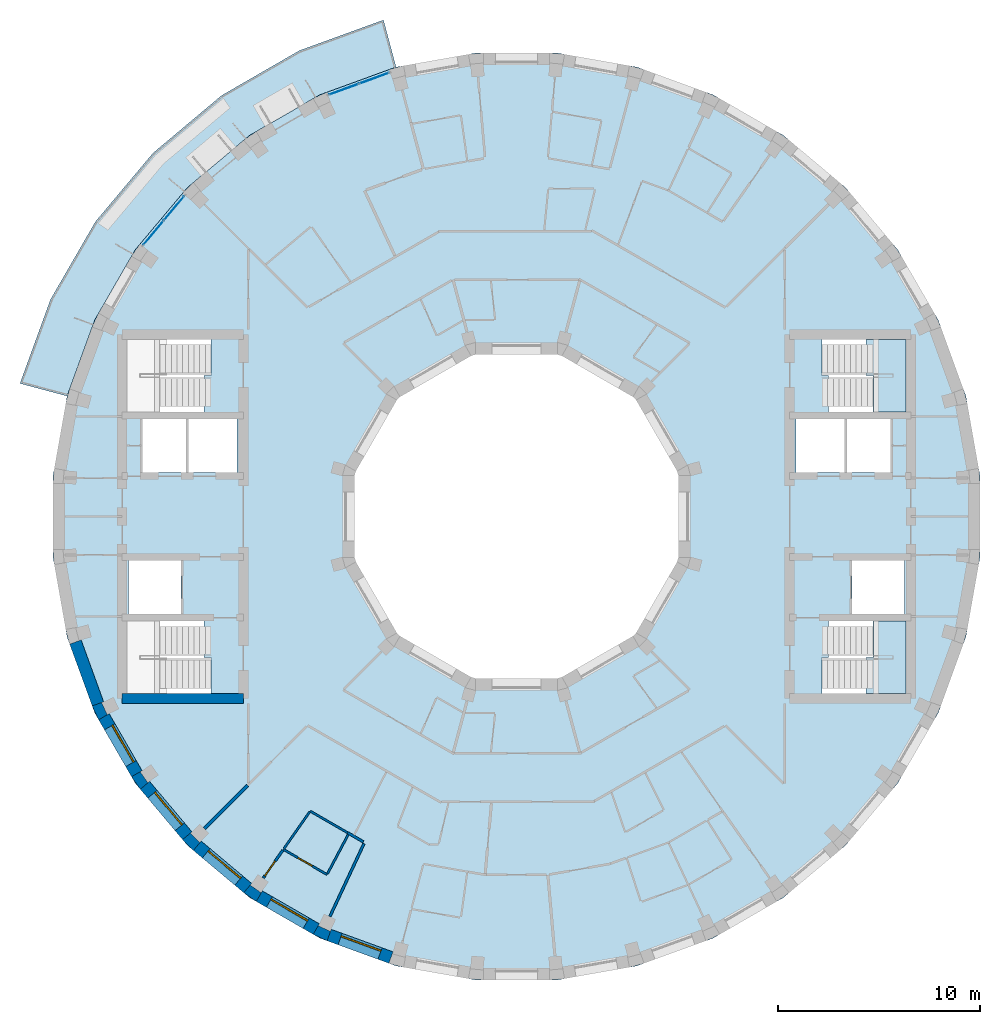
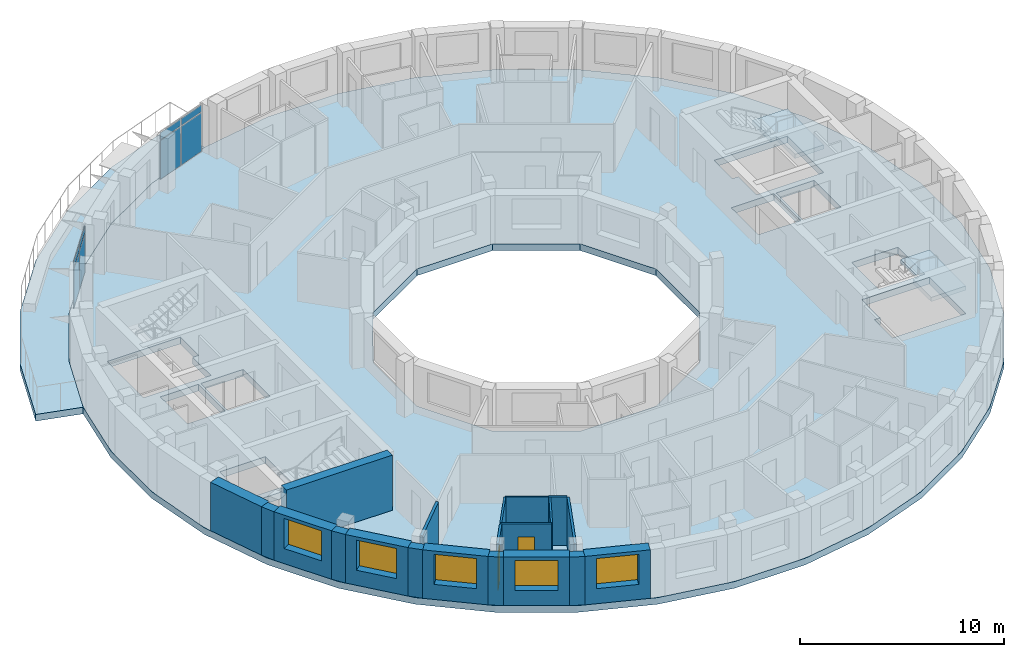
# One storey, part 3 of 12: 20 walls, 8 plates, 5 windows, 4 slabs, 2 doors, 7 openings, 4 elements without a shape of their own.
"""IFC4 building model written with IfcOpenShell, lengths in metres."""

import ifcopenshell
import ifcopenshell.guid

model = None  # the IFC model being written
_history = None  # IfcOwnerHistory: only IFC2X3 demands one
_inside = {}  # id of a spatial element -> (the spatial element, [elements in it])
_under = {}  # id of a project, library or spatial element -> (it, [spatial elements below it])
_declared = {}  # id of a project -> (the project, [libraries it declares])
_typed = {}  # id of a type object -> (the type object, [elements of that type])
_made_of = {}  # id of a material, layer set ... -> (it, [elements and type objects made of it])


def new_model(schema):
    """Start an empty IFC model of exactly this schema.

    Asked for "IFC4X3", IfcOpenShell would pick the latest addendum, in which some entities
    have other attributes; the version numbers below select the first issue.
    IFC2X3 requires an IfcOwnerHistory on every rooted entity: one is made here for all.
    """
    global model, _history
    if schema == "IFC4X3":
        model = ifcopenshell.file(schema_version=(4, 3, 0, 0))
    else:
        model = ifcopenshell.file(schema=schema)
    _inside.clear()
    _under.clear()
    _declared.clear()
    _typed.clear()
    _made_of.clear()
    _history = None
    if model.schema == "IFC2X3":
        org = make("IfcOrganization", Name="unknown")
        user = make(
            "IfcPersonAndOrganization",
            ThePerson=make("IfcPerson", FamilyName="unknown"),
            TheOrganization=org,
        )
        app = make(
            "IfcApplication",
            ApplicationDeveloper=org,
            Version="unknown",
            ApplicationFullName="unknown",
            ApplicationIdentifier="unknown",
        )
        _history = make(
            "IfcOwnerHistory",
            OwningUser=user,
            OwningApplication=app,
            ChangeAction="ADDED",
            CreationDate=0,
        )
    return model


def make(cls, **values):
    """One entity of the class cls with the attributes given. An attribute that is None is left unset."""
    return model.create_entity(
        cls, **{name: value for name, value in values.items() if value is not None}
    )


def rooted(cls, **values):
    """An entity with a GlobalId (a new one), such as an element, a storey or a relation."""
    return make(cls, GlobalId=ifcopenshell.guid.new(), OwnerHistory=_history, **values)


def si_unit(unit_type, name, prefix=None):
    """IfcSIUnit, for example si_unit("LENGTHUNIT", "METRE", prefix="MILLI")."""
    return make("IfcSIUnit", UnitType=unit_type, Prefix=prefix, Name=name)


def assignment(units):
    """IfcUnitAssignment: the units of a project."""
    return None if units is None else make("IfcUnitAssignment", Units=units)


def point(xyz):
    """IfcCartesianPoint."""
    return None if xyz is None else make("IfcCartesianPoint", Coordinates=xyz)


def direction(xyz):
    """IfcDirection."""
    return None if xyz is None else make("IfcDirection", DirectionRatios=xyz)


def frame(location, z_axis=None, x_axis=None):
    """IfcAxis2Placement3D, a coordinate frame: its origin and axes. An axis left out is left unset."""
    return make(
        "IfcAxis2Placement3D",
        Location=point(location),
        Axis=direction(z_axis),
        RefDirection=direction(x_axis),
    )


def frame_2d(location, x_axis=None):
    """IfcAxis2Placement2D, a coordinate frame in the plane: its origin and x axis."""
    return make(
        "IfcAxis2Placement2D", Location=point(location), RefDirection=direction(x_axis)
    )


def origin():
    """The frame at (0, 0, 0) with its axes left unset."""
    return frame((0.0, 0.0, 0.0))


def origin_2d():
    """The frame at (0, 0) in the plane with its x axis left unset."""
    return frame_2d((0.0, 0.0))


def place(relative_to, where):
    """IfcLocalPlacement: puts the frame where relative to a parent placement (None: the world)."""
    return make(
        "IfcLocalPlacement", PlacementRelTo=relative_to, RelativePlacement=where
    )


def context(
    kind, dimensions, precision=None, world=None, true_north=None, identifier=None
):
    """IfcGeometricRepresentationContext, for example the 3D "Model" context."""
    return make(
        "IfcGeometricRepresentationContext",
        ContextIdentifier=identifier,
        ContextType=kind,
        CoordinateSpaceDimension=dimensions,
        Precision=precision,
        WorldCoordinateSystem=world,
        TrueNorth=true_north,
    )


def subcontext(parent, identifier, kind, view, scale=None):
    """IfcGeometricRepresentationSubContext, for example "Body" below "Model"."""
    return make(
        "IfcGeometricRepresentationSubContext",
        ContextIdentifier=identifier,
        ContextType=kind,
        ParentContext=parent,
        TargetScale=scale,
        TargetView=view,
    )


def project(units=None, contexts=None):
    """IfcProject with its units and contexts."""
    return rooted(
        "IfcProject",
        Name="project",
        RepresentationContexts=contexts,
        UnitsInContext=assignment(units),
    )


def spatial(cls, under=None, at=None, **own):
    """A site, building, storey or space (cls), placed at a placement, below another one or the project."""
    s = rooted(cls, ObjectPlacement=at, **own)
    if under is not None:
        _under.setdefault(under.id(), (under, []))[1].append(s)
    return s


def polyline(points):
    """IfcPolyline through the points."""
    return make("IfcPolyline", Points=[point(p) for p in points])


def profile(cls, at=None, kind="AREA", **sizes):
    """A parametric profile (cls). Its sizes go by their IFC names, for example OverallWidth=200.0."""
    return make(cls, ProfileType=kind, Position=at, **sizes)


def rectangle(**sizes):
    """IfcRectangleProfileDef."""
    return profile("IfcRectangleProfileDef", **sizes)


def outline(outer, holes=None, kind="AREA"):
    """IfcArbitraryClosedProfileDef: a profile drawn as a closed curve; with holes, ...WithVoids."""
    if holes is None:
        return make("IfcArbitraryClosedProfileDef", ProfileType=kind, OuterCurve=outer)
    return make(
        "IfcArbitraryProfileDefWithVoids",
        ProfileType=kind,
        OuterCurve=outer,
        InnerCurves=holes,
    )


def extrude(swept, where, along, depth):
    """IfcExtrudedAreaSolid: the profile swept, set in the frame where, extruded along a direction by depth."""
    return make(
        "IfcExtrudedAreaSolid",
        SweptArea=swept,
        Position=where,
        ExtrudedDirection=direction(along),
        Depth=depth,
    )


def shape(context_of_items, identifier, shape_type, items):
    """IfcShapeRepresentation: the items that make up one representation, for example the "Body"."""
    return make(
        "IfcShapeRepresentation",
        ContextOfItems=context_of_items,
        RepresentationIdentifier=identifier,
        RepresentationType=shape_type,
        Items=items,
    )


def material(Name=None, Category=None):
    """IfcMaterial."""
    return make("IfcMaterial", Name=Name, Category=Category)


def layer(
    of_material, thickness, ventilated=None, Name=None, Category=None, Priority=None
):
    """IfcMaterialLayer: one layer of a wall or slab, of a material (None: an air gap)."""
    return make(
        "IfcMaterialLayer",
        Material=of_material,
        LayerThickness=thickness,
        IsVentilated=ventilated,
        Name=Name,
        Category=Category,
        Priority=Priority,
    )


def layer_set(layers, Name=None):
    """IfcMaterialLayerSet."""
    return make("IfcMaterialLayerSet", MaterialLayers=layers, LayerSetName=Name)


def made_of(thing, what):
    """Note that an element or type object is made of a material, layer set ...; save() writes the relation."""
    if what is not None:
        _made_of.setdefault(what.id(), (what, []))[1].append(thing)
    return thing


def type_object(cls, material=None, **own):
    """A type object (cls), such as IfcWallType, which elements share."""
    return made_of(rooted(cls, **own), material)


def element(
    cls,
    number,
    at=None,
    inside=None,
    cuts=None,
    type_object=None,
    material=None,
    context=None,
    identifier="Body",
    shape_type=None,
    held_by="IfcProductDefinitionShape",
    body=None,
    shapes=None,
    **own,
):
    """One element of the class cls, such as IfcWall. Its Tag is "e" and its number.

    at: its placement. inside: the storey or other place that contains it. cuts: it is an
    opening in that element (IfcRelVoidsElement). A single representation is given by context,
    identifier, shape_type and body (its items); several are given by shapes. held_by: the class
    of the entity that holds the representations. save() writes the other relations.
    """
    e = rooted(cls, Tag="e%d" % number, ObjectPlacement=at, **own)
    if body is not None:
        shapes = [shape(context, identifier, shape_type, body)]
    if shapes is not None:
        e.Representation = make(held_by, Representations=shapes)
    if inside is not None:
        _inside.setdefault(inside.id(), (inside, []))[1].append(e)
    if cuts is not None:
        rooted(
            "IfcRelVoidsElement", RelatingBuildingElement=cuts, RelatedOpeningElement=e
        )
    if type_object is not None:
        _typed.setdefault(type_object.id(), (type_object, []))[1].append(e)
    return made_of(e, material)


def fill(opening, filler):
    """IfcRelFillsElement: the door or window that sits in an opening."""
    return rooted(
        "IfcRelFillsElement",
        RelatingOpeningElement=opening,
        RelatedBuildingElement=filler,
    )


def aggregate(whole, parts):
    """IfcRelAggregates: a whole, such as a stair, and the parts it consists of."""
    return rooted("IfcRelAggregates", RelatingObject=whole, RelatedObjects=parts)


def save(model, path):
    """Write the relations noted so far, then the file.

    IfcRelAggregates (storeys below a building ...), IfcRelContainedInSpatialStructure (elements
    in a storey), IfcRelDefinesByType, IfcRelAssociatesMaterial and IfcRelDeclares: one each for
    every whole, place, type object, material and project.
    """
    for whole, parts in _under.values():
        aggregate(whole, parts)
    for where, things in _inside.values():
        rooted(
            "IfcRelContainedInSpatialStructure",
            RelatedElements=things,
            RelatingStructure=where,
        )
    for kind, things in _typed.values():
        rooted("IfcRelDefinesByType", RelatedObjects=things, RelatingType=kind)
    for what, things in _made_of.values():
        rooted("IfcRelAssociatesMaterial", RelatedObjects=things, RelatingMaterial=what)
    for by, libraries in _declared.values():
        rooted("IfcRelDeclares", RelatingContext=by, RelatedDefinitions=libraries)
    model.write(path)


model = new_model("IFC4")

# Units and contexts
model_context = context("Model", 3, precision=1e-05, world=origin(), true_north=direction((0.0, 1.0)))
body_context = subcontext(model_context, "Body", "Model", "MODEL_VIEW")
ifc_project = project(units=[si_unit("LENGTHUNIT", "METRE"), si_unit("AREAUNIT", "SQUARE_METRE"), si_unit("VOLUMEUNIT", "CUBIC_METRE"), si_unit("PLANEANGLEUNIT", "RADIAN"), si_unit("MASSUNIT", "GRAM", prefix="KILO")], contexts=[model_context])

# Site, building, storey
site_placement = place(None, origin())
site = spatial("IfcSite", under=ifc_project, at=site_placement, CompositionType="ELEMENT")
building_placement = place(site_placement, origin())
building = spatial("IfcBuilding", under=site, at=building_placement, Name="Saqina Gate Tower", CompositionType="ELEMENT")
storey_placement = place(building_placement, frame((0.0, 0.0, 233.0)))
storey = spatial("IfcBuildingStorey", under=building, at=storey_placement, Name="L66", CompositionType="ELEMENT", Elevation=233.0)

# Curtain wall, plates
ifc_material_1 = material(Name="Aluminium glazing", Category="aluminium")
ifc_layer_1 = layer(ifc_material_1, 0.159912109375)
ifc_layer_set_1 = layer_set([ifc_layer_1], Name="CWT-4")
curtain_wall_type = type_object("IfcCurtainWallType", Name="CWT-4", PredefinedType="NOTDEFINED", material=ifc_layer_set_1)
curtain_wall_1_placement = place(storey_placement, origin())
curtain_wall_1 = element("IfcCurtainWall", 1, at=curtain_wall_1_placement, inside=storey, type_object=curtain_wall_type, Name="Terrace lounge glazing facet 11", PredefinedType="NOTDEFINED")
ifc_material_2 = material(Name="Glass", Category="glass")
ifc_layer_2 = layer(ifc_material_2, 0.028076171875)
ifc_layer_set_2 = layer_set([ifc_layer_2], Name="CWT-4P")
plate_type = type_object("IfcPlateType", Name="CWT-4P", PredefinedType="CURTAIN_PANEL", material=ifc_layer_set_2)
plate_1_placement = place(storey_placement, frame((-7.035400390625, 21.66259765625, 0.06005859375), z_axis=(0.0, 0.0, 1.0), x_axis=(-0.939697310402, -0.342007258437, 0.0)))
plate_1 = element("IfcPlate", 2, at=plate_1_placement, type_object=plate_type, Name="CW4-11 panel 1.1", PredefinedType="CURTAIN_PANEL", context=body_context, shape_type="SweptSolid", body=[
    extrude(rectangle(XDim=1.535888671875, YDim=0.028076171875, at=origin_2d()), origin(), (0.0, 0.0, 1.0), 2.31005859375),
])
plate_2_placement = place(storey_placement, frame((-7.035400390625, 21.66259765625, 2.43017578125), z_axis=(0.0, 0.0, 1.0), x_axis=(-0.939697310402, -0.342007258437, 0.0)))
plate_2 = element("IfcPlate", 3, at=plate_2_placement, type_object=plate_type, Name="CW4-11 panel 1.2", PredefinedType="CURTAIN_PANEL", context=body_context, shape_type="SweptSolid", body=[
    extrude(rectangle(XDim=1.535888671875, YDim=0.028076171875, at=origin_2d()), origin(), (0.0, 0.0, 1.0), 0.409912109375),
])
plate_3_placement = place(storey_placement, frame((-8.534912109375, 21.116943359375, 0.06005859375), z_axis=(0.0, 0.0, 1.0), x_axis=(-0.939697310402, -0.342007258437, 0.0)))
plate_3 = element("IfcPlate", 4, at=plate_3_placement, type_object=plate_type, Name="CW4-11 panel 2.1", PredefinedType="CURTAIN_PANEL", context=body_context, shape_type="SweptSolid", body=[
    extrude(rectangle(XDim=1.535888671875, YDim=0.028076171875, at=origin_2d()), origin(), (0.0, 0.0, 1.0), 2.31005859375),
])
plate_4_placement = place(storey_placement, frame((-8.534912109375, 21.116943359375, 2.43017578125), z_axis=(0.0, 0.0, 1.0), x_axis=(-0.939697310402, -0.342007258437, 0.0)))
plate_4 = element("IfcPlate", 5, at=plate_4_placement, type_object=plate_type, Name="CW4-11 panel 2.2", PredefinedType="CURTAIN_PANEL", context=body_context, shape_type="SweptSolid", body=[
    extrude(rectangle(XDim=1.535888671875, YDim=0.028076171875, at=origin_2d()), origin(), (0.0, 0.0, 1.0), 0.409912109375),
])
aggregate(curtain_wall_1, [plate_1, plate_2, plate_3, plate_4])

curtain_wall_2_placement = place(storey_placement, origin())
curtain_wall_2 = element("IfcCurtainWall", 6, at=curtain_wall_2_placement, inside=storey, type_object=curtain_wall_type, Name="Terrace lounge glazing facet 14", PredefinedType="NOTDEFINED")
plate_5_placement = place(storey_placement, frame((-16.924072265625, 15.24267578125, 0.06005859375), z_axis=(0.0, 0.0, 1.0), x_axis=(-0.642785214609, -0.766046452821, 0.0)))
plate_5 = element("IfcPlate", 7, at=plate_5_placement, type_object=plate_type, Name="CW4-14 panel 1.1", PredefinedType="CURTAIN_PANEL", context=body_context, shape_type="SweptSolid", body=[
    extrude(rectangle(XDim=1.535888671875, YDim=0.028076171875, at=origin_2d()), origin(), (0.0, 0.0, 1.0), 2.31005859375),
])
plate_6_placement = place(storey_placement, frame((-16.924072265625, 15.24267578125, 2.43017578125), z_axis=(0.0, 0.0, 1.0), x_axis=(-0.642785214609, -0.766046452821, 0.0)))
plate_6 = element("IfcPlate", 8, at=plate_6_placement, type_object=plate_type, Name="CW4-14 panel 1.2", PredefinedType="CURTAIN_PANEL", context=body_context, shape_type="SweptSolid", body=[
    extrude(rectangle(XDim=1.535888671875, YDim=0.028076171875, at=origin_2d()), origin(), (0.0, 0.0, 1.0), 0.409912109375),
])
plate_7_placement = place(storey_placement, frame((-17.949951171875, 14.020263671875, 0.06005859375), z_axis=(0.0, 0.0, 1.0), x_axis=(-0.642785214609, -0.766046452821, 0.0)))
plate_7 = element("IfcPlate", 9, at=plate_7_placement, type_object=plate_type, Name="CW4-14 panel 2.1", PredefinedType="CURTAIN_PANEL", context=body_context, shape_type="SweptSolid", body=[
    extrude(rectangle(XDim=1.535888671875, YDim=0.028076171875, at=origin_2d()), origin(), (0.0, 0.0, 1.0), 2.31005859375),
])
plate_8_placement = place(storey_placement, frame((-17.949951171875, 14.020263671875, 2.43017578125), z_axis=(0.0, 0.0, 1.0), x_axis=(-0.642785214609, -0.766046452821, 0.0)))
plate_8 = element("IfcPlate", 10, at=plate_8_placement, type_object=plate_type, Name="CW4-14 panel 2.2", PredefinedType="CURTAIN_PANEL", context=body_context, shape_type="SweptSolid", body=[
    extrude(rectangle(XDim=1.535888671875, YDim=0.028076171875, at=origin_2d()), origin(), (0.0, 0.0, 1.0), 0.409912109375),
])
aggregate(curtain_wall_2, [plate_5, plate_6, plate_7, plate_8])

# Stair, slab
ifc_material_3 = material(Name="Concrete C40/50", Category="concrete")
stair_type = type_object("IfcStairType", Name="EXIT STAIR", PredefinedType="HALF_TURN_STAIR", material=ifc_material_3)
stair_1_placement = place(storey_placement, origin())
stair_1 = element("IfcStair", 11, at=stair_1_placement, inside=storey, type_object=stair_type, Name="EXIT STAIR 1", PredefinedType="HALF_TURN_STAIR")
ifc_material_4 = material(Name="Concrete C40/50", Category="concrete")
ifc_layer_3 = layer(ifc_material_4, 0.25)
ifc_layer_set_3 = layer_set([ifc_layer_3], Name="Concrete C40/50")
slab_type_1 = type_object("IfcSlabType", Name="EXIT STAIR LANDING", PredefinedType="LANDING", material=ifc_layer_set_3)
slab_1_placement = place(storey_placement, frame((0.0, 0.0, 1.39990234375)))
slab_1 = element("IfcSlab", 12, at=slab_1_placement, type_object=slab_type_1, Name="EXIT STAIR 1 LANDING 1", PredefinedType="LANDING", context=body_context, shape_type="SweptSolid", body=[
    extrude(outline(polyline([(19.25, 8.75), (19.25, 5.175048828125), (17.614990234375, 5.175048828125), (17.614990234375, 6.96240234375), (17.284423828125, 6.96240234375), (17.284423828125, 8.75), (17.614990234375, 8.75), (17.6201171875, 8.75), (19.25, 8.75)])), origin(), (0.0, 0.0, 1.0), 0.25),
])
aggregate(stair_1, [slab_1])

stair_2_placement = place(storey_placement, origin())
stair_2 = element("IfcStair", 13, at=stair_2_placement, inside=storey, type_object=stair_type, Name="EXIT STAIR 2", PredefinedType="HALF_TURN_STAIR")
slab_2_placement = place(storey_placement, frame((0.0, 0.0, 1.39990234375)))
slab_2 = element("IfcSlab", 14, at=slab_2_placement, type_object=slab_type_1, Name="EXIT STAIR 2 LANDING 1", PredefinedType="LANDING", context=body_context, shape_type="SweptSolid", body=[
    extrude(outline(polyline([(17.284423828125, -8.75), (17.284423828125, -6.96240234375), (17.614990234375, -6.96240234375), (17.614990234375, -5.175048828125), (19.25, -5.175048828125), (19.25, -8.75), (17.6201171875, -8.75), (17.614990234375, -8.75), (17.284423828125, -8.75)])), origin(), (0.0, 0.0, 1.0), 0.25),
])
aggregate(stair_2, [slab_2])

# Slabs
ifc_material_5 = material(Name="Concrete C40/50", Category="concrete")
ifc_layer_4 = layer(ifc_material_5, 0.39990234375)
ifc_layer_set_4 = layer_set([ifc_layer_4], Name="Concrete C40/50")
slab_type_2 = type_object("IfcSlabType", Name="STR-POST-TENSIONED FLAT PLATE FLOOR-400", PredefinedType="FLOOR", material=ifc_layer_set_4)
slab_3_placement = place(storey_placement, frame((0.0, 0.0, -0.39990234375)))
element("IfcSlab", 15, at=slab_3_placement, inside=storey, type_object=slab_type_2, Name="L66-SLB01", PredefinedType="FLOOR", context=body_context, shape_type="SweptSolid", body=[
    extrude(outline(polyline([(22.21630859375, -5.952880859375), (22.91259765625, -2.004638671875), (22.91259765625, 2.004638671875), (22.21630859375, 5.952880859375), (20.844970703125, 9.72021484375), (18.840576171875, 13.192138671875), (16.263427734375, 16.263427734375), (13.192138671875, 18.840576171875), (9.72021484375, 20.844970703125), (5.952880859375, 22.21630859375), (2.004638671875, 22.91259765625), (-2.004638671875, 22.91259765625), (-5.952880859375, 22.21630859375), (-9.72021484375, 20.844970703125), (-13.192138671875, 18.840576171875), (-16.263427734375, 16.263427734375), (-18.840576171875, 13.192138671875), (-20.844970703125, 9.72021484375), (-22.21630859375, 5.952880859375), (-22.91259765625, 2.004638671875), (-22.91259765625, -2.004638671875), (-22.21630859375, -5.952880859375), (-20.844970703125, -9.72021484375), (-18.840576171875, -13.192138671875), (-16.263427734375, -16.263427734375), (-13.192138671875, -18.840576171875), (-9.72021484375, -20.844970703125), (-5.952880859375, -22.21630859375), (-2.004638671875, -22.91259765625), (2.004638671875, -22.91259765625), (5.952880859375, -22.21630859375), (9.72021484375, -20.844970703125), (13.192138671875, -18.840576171875), (16.263427734375, -16.263427734375), (18.840576171875, -13.192138671875), (20.844970703125, -9.72021484375), (22.21630859375, -5.952880859375)]), holes=[polyline([(2.1435546875, 8.0), (5.8564453125, 5.8564453125), (8.0, 2.1435546875), (8.0, -2.1435546875), (5.8564453125, -5.8564453125), (2.1435546875, -8.0), (-2.1435546875, -8.0), (-5.8564453125, -5.8564453125), (-8.0, -2.1435546875), (-8.0, 2.1435546875), (-5.8564453125, 5.8564453125), (-2.1435546875, 8.0), (2.1435546875, 8.0)]), polyline([(-15.10498046875, -8.75), (-19.25, -8.75), (-19.25, -6.96240234375), (-19.25, -5.175048828125), (-15.435546875, -5.175048828125), (-15.435546875, -6.96240234375), (-15.10498046875, -6.96240234375), (-15.10498046875, -8.75)]), polyline([(-16.590087890625, -2.175048828125), (-16.590087890625, -4.824951171875), (-19.18994140625, -4.824951171875), (-19.18994140625, -2.175048828125), (-16.590087890625, -2.175048828125)]), polyline([(-16.340087890625, 4.824951171875), (-16.340087890625, 2.175048828125), (-18.5, 2.175048828125), (-18.5, 4.824951171875), (-16.340087890625, 4.824951171875)]), polyline([(-13.81005859375, 4.824951171875), (-13.81005859375, 2.175048828125), (-16.219970703125, 2.175048828125), (-16.219970703125, 4.824951171875), (-13.81005859375, 4.824951171875)]), polyline([(-19.25, 6.96240234375), (-19.25, 8.75), (-15.10498046875, 8.75), (-15.10498046875, 6.96240234375), (-15.435546875, 6.96240234375), (-15.435546875, 5.175048828125), (-19.25, 5.175048828125), (-19.25, 6.96240234375)]), polyline([(15.10498046875, -8.75), (15.10498046875, -6.96240234375), (15.435546875, -6.96240234375), (15.435546875, -5.175048828125), (19.25, -5.175048828125), (19.25, -6.96240234375), (19.25, -8.75), (15.10498046875, -8.75)]), polyline([(19.18994140625, -2.175048828125), (19.18994140625, -4.824951171875), (16.590087890625, -4.824951171875), (16.590087890625, -2.175048828125), (19.18994140625, -2.175048828125)]), polyline([(16.219970703125, 4.824951171875), (16.219970703125, 2.175048828125), (13.81005859375, 2.175048828125), (13.81005859375, 4.824951171875), (16.219970703125, 4.824951171875)]), polyline([(18.5, 4.824951171875), (18.5, 2.175048828125), (16.340087890625, 2.175048828125), (16.340087890625, 4.824951171875), (18.5, 4.824951171875)]), polyline([(15.435546875, 6.96240234375), (15.10498046875, 6.96240234375), (15.10498046875, 8.75), (19.25, 8.75), (19.25, 6.96240234375), (19.25, 5.175048828125), (15.435546875, 5.175048828125), (15.435546875, 6.96240234375)])]), origin(), (0.0, 0.0, 1.0), 0.39990234375),
])
ifc_material_6 = material(Name="Concrete C40/50", Category="concrete")
ifc_layer_5 = layer(ifc_material_6, 0.39990234375)
ifc_layer_set_5 = layer_set([ifc_layer_5], Name="Concrete C40/50")
slab_type_3 = type_object("IfcSlabType", Name="STR-POST-TENSIONED FLAT PLATE TERRACE-400", PredefinedType="FLOOR", material=ifc_layer_set_5)
slab_4_placement = place(storey_placement, frame((0.0, 0.0, -0.39990234375)))
element("IfcSlab", 16, at=slab_4_placement, inside=storey, type_object=slab_type_3, Name="L66-TRS01", PredefinedType="FLOOR", context=body_context, shape_type="SweptSolid", body=[
    extrude(outline(polyline([(-5.952880859375, 22.21630859375), (-9.72021484375, 20.844970703125), (-13.192138671875, 18.840576171875), (-16.263427734375, 16.263427734375), (-18.840576171875, 13.192138671875), (-20.844970703125, 9.72021484375), (-22.21630859375, 5.952880859375), (-24.54345703125, 6.576416015625), (-23.028564453125, 10.73828125), (-20.81396484375, 14.57421875), (-17.967041015625, 17.967041015625), (-14.57421875, 20.81396484375), (-10.73828125, 23.028564453125), (-6.576416015625, 24.54345703125), (-5.952880859375, 22.21630859375)])), origin(), (0.0, 0.0, 1.0), 0.39990234375),
])

# Walls
ifc_material_7 = material(Name="Brick masonry (buff)", Category="masonry")
wall_type_1 = type_object("IfcWallType", Name="BRICK PIER COPING BUFF", PredefinedType="SOLIDWALL", material=ifc_material_7)
wall_1_placement = place(storey_placement, origin())
element("IfcWall", 17, at=wall_1_placement, inside=storey, type_object=wall_type_1, Name="Pier cap L66 column 21", PredefinedType="SOLIDWALL", context=body_context, shape_type="SweptSolid", body=[
    extrude(outline(polyline([(-20.974609375, -9.3642578125), (-20.65576171875, -10.048095703125), (-20.135986328125, -9.748291015625), (-20.23193359375, -9.79296875), (-20.506591796875, -9.203857421875), (-20.410888671875, -9.1591796875), (-20.974609375, -9.3642578125)])), origin(), (0.0, 0.0, 1.0), 2.89990234375),
])
wall_2_placement = place(storey_placement, origin())
element("IfcWall", 18, at=wall_2_placement, inside=storey, type_object=wall_type_1, Name="Pier cap L66 column 22", PredefinedType="SOLIDWALL", context=body_context, shape_type="SweptSolid", body=[
    extrude(outline(polyline([(-19.02978515625, -12.8642578125), (-18.59716796875, -13.482421875), (-18.137451171875, -13.0966796875), (-18.22412109375, -13.157470703125), (-18.596923828125, -12.625), (-18.51025390625, -12.564208984375), (-19.02978515625, -12.8642578125)])), origin(), (0.0, 0.0, 1.0), 2.89990234375),
])
wall_3_placement = place(storey_placement, origin())
element("IfcWall", 19, at=wall_3_placement, inside=storey, type_object=wall_type_1, Name="Pier cap L66 column 23", PredefinedType="SOLIDWALL", context=body_context, shape_type="SweptSolid", body=[
    extrude(outline(polyline([(-15.973388671875, -16.5068359375), (-15.587646484375, -16.04736328125), (-15.662353515625, -16.1220703125), (-16.1220703125, -15.662353515625), (-16.04736328125, -15.587646484375), (-16.5068359375, -15.973388671875), (-15.973388671875, -16.5068359375)])), origin(), (0.0, 0.0, 1.0), 2.89990234375),
])
wall_4_placement = place(storey_placement, origin())
element("IfcWall", 20, at=wall_4_placement, inside=storey, type_object=wall_type_1, Name="Pier cap L66 column 24", PredefinedType="SOLIDWALL", context=body_context, shape_type="SweptSolid", body=[
    extrude(outline(polyline([(-12.8642578125, -19.02978515625), (-12.564208984375, -18.51025390625), (-12.625, -18.596923828125), (-13.157470703125, -18.22412109375), (-13.0966796875, -18.137451171875), (-13.482421875, -18.59716796875), (-12.8642578125, -19.02978515625)])), origin(), (0.0, 0.0, 1.0), 2.89990234375),
])
wall_5_placement = place(storey_placement, origin())
element("IfcWall", 21, at=wall_5_placement, inside=storey, type_object=wall_type_1, Name="Pier cap L66 column 25", PredefinedType="SOLIDWALL", context=body_context, shape_type="SweptSolid", body=[
    extrude(outline(polyline([(-10.048095703125, -20.65576171875), (-9.3642578125, -20.974609375), (-9.1591796875, -20.410888671875), (-9.203857421875, -20.506591796875), (-9.79296875, -20.23193359375), (-9.748291015625, -20.135986328125), (-10.048095703125, -20.65576171875)])), origin(), (0.0, 0.0, 1.0), 2.89990234375),
])

# Wall, opening, window
ifc_material_8 = material(Name="Brick masonry (buff)", Category="masonry")
ifc_layer_6 = layer(ifc_material_8, 0.60009765625)
ifc_layer_set_6 = layer_set([ifc_layer_6], Name="FW-BRICK-BUFF")
wall_type_2 = type_object("IfcWallType", Name="FW-BRICK-BUFF", PredefinedType="SOLIDWALL", material=ifc_layer_set_6)
wall_6_placement = place(storey_placement, frame((-20.39599609375, -9.898193359375, 0.0), z_axis=(0.0, 0.0, 1.0), x_axis=(0.500014901547, -0.866016800201, 0.0)))
wall_6 = element("IfcWall", 22, at=wall_6_placement, inside=storey, type_object=wall_type_2, Name="Facade wall L66 facet 21", PredefinedType="SOLIDWALL", context=body_context, shape_type="SweptSolid", body=[
    extrude(rectangle(XDim=3.251953125, YDim=0.60009765625, at=frame_2d((1.6259765625, 0.0))), origin(), (0.0, 0.0, 1.0), 2.89990234375),
])
opening_1_placement = place(wall_6_placement, frame((0.57568359375, 0.0, 0.89990234375)))
opening_1 = element("IfcOpeningElement", 23, at=opening_1_placement, cuts=wall_6, Name="Opening G19-W10", PredefinedType="OPENING", context=body_context, shape_type="SweptSolid", body=[
    extrude(rectangle(XDim=2.10009765625, YDim=1.800048828125, at=frame_2d((1.050048828125, 0.89990234375))), frame((0.0, 0.31201171875, 0.0), z_axis=(0.0, -1.0, 0.0), x_axis=(1.0, 0.0, 0.0)), (0.0, 0.0, 1.0), 0.6240234375),
])
ifc_material_9 = material(Name="Aluminium glazing", Category="aluminium")
window_type = type_object("IfcWindowType", Name="WN-D", PartitioningType="SINGLE_PANEL", PredefinedType="WINDOW", material=ifc_material_9)
window_1_placement = place(opening_1_placement, origin())
window_1 = element("IfcWindow", 24, at=window_1_placement, inside=storey, type_object=window_type, Name="Window L66 facet 21", OverallHeight=1.800048828125, OverallWidth=2.10009765625, PartitioningType="SINGLE_PANEL", PredefinedType="WINDOW", context=body_context, shape_type="SweptSolid", body=[
    extrude(rectangle(XDim=2.10009765625, YDim=1.800048828125, at=frame_2d((1.050048828125, 0.89990234375))), frame((0.0, 0.179931640625, 0.0), z_axis=(0.0, -1.0, 0.0), x_axis=(1.0, 0.0, 0.0)), (0.0, 0.0, 1.0), 0.06005859375),
])
fill(opening_1, window_1)

wall_7_placement = place(storey_placement, frame((-18.3671875, -13.28955078125, 0.0), z_axis=(0.0, 0.0, 1.0), x_axis=(0.64277291405, -0.766056773982, 0.0)))
wall_7 = element("IfcWall", 25, at=wall_7_placement, inside=storey, type_object=wall_type_2, Name="Facade wall L66 facet 22", PredefinedType="SOLIDWALL", context=body_context, shape_type="SweptSolid", body=[
    extrude(rectangle(XDim=3.251708984375, YDim=0.60009765625, at=frame_2d((1.6259765625, 0.0))), origin(), (0.0, 0.0, 1.0), 2.89990234375),
])
opening_2_placement = place(wall_7_placement, frame((0.57568359375, 0.0, 0.89990234375)))
opening_2 = element("IfcOpeningElement", 26, at=opening_2_placement, cuts=wall_7, Name="Opening G19-W11", PredefinedType="OPENING", context=body_context, shape_type="SweptSolid", body=[
    extrude(rectangle(XDim=2.10009765625, YDim=1.800048828125, at=frame_2d((1.050048828125, 0.89990234375))), frame((0.0, 0.31201171875, 0.0), z_axis=(0.0, -1.0, 0.0), x_axis=(1.0, 0.0, 0.0)), (0.0, 0.0, 1.0), 0.6240234375),
])
window_2_placement = place(opening_2_placement, origin())
window_2 = element("IfcWindow", 27, at=window_2_placement, inside=storey, type_object=window_type, Name="Window L66 facet 22", OverallHeight=1.800048828125, OverallWidth=2.10009765625, PartitioningType="SINGLE_PANEL", PredefinedType="WINDOW", context=body_context, shape_type="SweptSolid", body=[
    extrude(rectangle(XDim=2.10009765625, YDim=1.800048828125, at=frame_2d((1.050048828125, 0.89990234375))), frame((0.0, 0.179931640625, 0.0), z_axis=(0.0, -1.0, 0.0), x_axis=(1.0, 0.0, 0.0)), (0.0, 0.0, 1.0), 0.06005859375),
])
fill(opening_2, window_2)

wall_8_placement = place(storey_placement, frame((-15.780517578125, -16.277099609375, 0.0), z_axis=(0.0, 0.0, 1.0), x_axis=(0.766056773982, -0.64277291405, 0.0)))
wall_8 = element("IfcWall", 28, at=wall_8_placement, inside=storey, type_object=wall_type_2, Name="Facade wall L66 facet 23", PredefinedType="SOLIDWALL", context=body_context, shape_type="SweptSolid", body=[
    extrude(rectangle(XDim=3.251708984375, YDim=0.60009765625, at=frame_2d((1.6259765625, 0.0))), origin(), (0.0, 0.0, 1.0), 2.89990234375),
])
opening_3_placement = place(wall_8_placement, frame((0.57568359375, 0.0, 0.89990234375)))
opening_3 = element("IfcOpeningElement", 29, at=opening_3_placement, cuts=wall_8, Name="Opening G19-W12", PredefinedType="OPENING", context=body_context, shape_type="SweptSolid", body=[
    extrude(rectangle(XDim=2.10009765625, YDim=1.800048828125, at=frame_2d((1.050048828125, 0.89990234375))), frame((0.0, 0.31201171875, 0.0), z_axis=(0.0, -1.0, 0.0), x_axis=(1.0, 0.0, 0.0)), (0.0, 0.0, 1.0), 0.6240234375),
])
window_3_placement = place(opening_3_placement, origin())
window_3 = element("IfcWindow", 30, at=window_3_placement, inside=storey, type_object=window_type, Name="Window L66 facet 23", OverallHeight=1.800048828125, OverallWidth=2.10009765625, PartitioningType="SINGLE_PANEL", PredefinedType="WINDOW", context=body_context, shape_type="SweptSolid", body=[
    extrude(rectangle(XDim=2.10009765625, YDim=1.800048828125, at=frame_2d((1.050048828125, 0.89990234375))), frame((0.0, 0.179931640625, 0.0), z_axis=(0.0, -1.0, 0.0), x_axis=(1.0, 0.0, 0.0)), (0.0, 0.0, 1.0), 0.06005859375),
])
fill(opening_3, window_3)

wall_9_placement = place(storey_placement, frame((-12.71435546875, -18.77001953125, 0.0), z_axis=(0.0, 0.0, 1.0), x_axis=(0.866016800201, -0.500014901547, 0.0)))
wall_9 = element("IfcWall", 31, at=wall_9_placement, inside=storey, type_object=wall_type_2, Name="Facade wall L66 facet 24", PredefinedType="SOLIDWALL", context=body_context, shape_type="SweptSolid", body=[
    extrude(rectangle(XDim=3.251953125, YDim=0.60009765625, at=frame_2d((1.6259765625, 0.0))), origin(), (0.0, 0.0, 1.0), 2.89990234375),
])
opening_4_placement = place(wall_9_placement, frame((0.57568359375, 0.0, 0.89990234375)))
opening_4 = element("IfcOpeningElement", 32, at=opening_4_placement, cuts=wall_9, Name="Opening G19-W13", PredefinedType="OPENING", context=body_context, shape_type="SweptSolid", body=[
    extrude(rectangle(XDim=2.10009765625, YDim=1.800048828125, at=frame_2d((1.050048828125, 0.89990234375))), frame((0.0, 0.31201171875, 0.0), z_axis=(0.0, -1.0, 0.0), x_axis=(1.0, 0.0, 0.0)), (0.0, 0.0, 1.0), 0.6240234375),
])
window_4_placement = place(opening_4_placement, origin())
window_4 = element("IfcWindow", 33, at=window_4_placement, inside=storey, type_object=window_type, Name="Window L66 facet 24", OverallHeight=1.800048828125, OverallWidth=2.10009765625, PartitioningType="SINGLE_PANEL", PredefinedType="WINDOW", context=body_context, shape_type="SweptSolid", body=[
    extrude(rectangle(XDim=2.10009765625, YDim=1.800048828125, at=frame_2d((1.050048828125, 0.89990234375))), frame((0.0, 0.179931640625, 0.0), z_axis=(0.0, -1.0, 0.0), x_axis=(1.0, 0.0, 0.0)), (0.0, 0.0, 1.0), 0.06005859375),
])
fill(opening_4, window_4)

wall_10_placement = place(storey_placement, frame((-9.26171875, -20.692626953125, 0.0), z_axis=(0.0, 0.0, 1.0), x_axis=(0.939679383794, -0.342056509473, 0.0)))
wall_10 = element("IfcWall", 34, at=wall_10_placement, inside=storey, type_object=wall_type_2, Name="Facade wall L66 facet 25", PredefinedType="SOLIDWALL", context=body_context, shape_type="SweptSolid", body=[
    extrude(rectangle(XDim=3.251708984375, YDim=0.60009765625, at=frame_2d((1.6259765625, 0.0))), origin(), (0.0, 0.0, 1.0), 2.89990234375),
])
opening_5_placement = place(wall_10_placement, frame((0.57568359375, 0.0, 0.89990234375)))
opening_5 = element("IfcOpeningElement", 35, at=opening_5_placement, cuts=wall_10, Name="Opening G19-W14", PredefinedType="OPENING", context=body_context, shape_type="SweptSolid", body=[
    extrude(rectangle(XDim=2.10009765625, YDim=1.800048828125, at=frame_2d((1.050048828125, 0.89990234375))), frame((0.0, 0.31201171875, 0.0), z_axis=(0.0, -1.0, 0.0), x_axis=(1.0, 0.0, 0.0)), (0.0, 0.0, 1.0), 0.6240234375),
])
window_5_placement = place(opening_5_placement, origin())
window_5 = element("IfcWindow", 36, at=window_5_placement, inside=storey, type_object=window_type, Name="Window L66 facet 25", OverallHeight=1.800048828125, OverallWidth=2.10009765625, PartitioningType="SINGLE_PANEL", PredefinedType="WINDOW", context=body_context, shape_type="SweptSolid", body=[
    extrude(rectangle(XDim=2.10009765625, YDim=1.800048828125, at=frame_2d((1.050048828125, 0.89990234375))), frame((0.0, 0.179931640625, 0.0), z_axis=(0.0, -1.0, 0.0), x_axis=(1.0, 0.0, 0.0)), (0.0, 0.0, 1.0), 0.06005859375),
])
fill(opening_5, window_5)

# Wall
ifc_material_10 = material(Name="Glazed ceramic tile (dark blue)", Category="ceramic")
ifc_layer_7 = layer(ifc_material_10, 0.60009765625)
ifc_layer_set_7 = layer_set([ifc_layer_7], Name="FW-TILE-CB")
wall_type_3 = type_object("IfcWallType", Name="FW-TILE-CB", PredefinedType="SOLIDWALL", material=ifc_layer_set_7)
wall_11_placement = place(storey_placement, frame((-21.804931640625, -6.2060546875, 0.0), z_axis=(0.0, 0.0, 1.0), x_axis=(0.342056509473, -0.939679383794, 0.0)))
element("IfcWall", 37, at=wall_11_placement, inside=storey, type_object=wall_type_3, Name="Facade wall L66 facet 20", PredefinedType="SOLIDWALL", context=body_context, shape_type="SweptSolid", body=[
    extrude(rectangle(XDim=3.251708984375, YDim=0.60009765625, at=frame_2d((1.6259765625, 0.0))), origin(), (0.0, 0.0, 1.0), 2.89990234375),
])

# Wall, opening, door
ifc_material_11 = material(Name="Gypsum board on steel studs, 100 mm", Category="steel")
ifc_layer_8 = layer(ifc_material_11, 0.10009765625)
ifc_layer_set_8 = layer_set([ifc_layer_8], Name="PARTITION 100")
wall_type_4 = type_object("IfcWallType", Name="PARTITION 100", PredefinedType="PARTITIONING", material=ifc_layer_set_8)
wall_12_placement = place(storey_placement, frame((-11.52294921875, -16.4560546875, 0.0), z_axis=(0.0, 0.0, 1.0), x_axis=(0.866105605004, -0.499861061677, 0.0)))
wall_12 = element("IfcWall", 38, at=wall_12_placement, inside=storey, type_object=wall_type_4, Name="PARTITION PW3-13", PredefinedType="PARTITIONING", context=body_context, shape_type="SweptSolid", body=[
    extrude(rectangle(XDim=2.490478515625, YDim=0.10009765625, at=frame_2d((1.2451171875, 0.0))), origin(), (0.0, 0.0, 1.0), 2.89990234375),
])
opening_6_placement = place(wall_12_placement, frame((0.84521484375, 0.0, 0.0)))
opening_6 = element("IfcOpeningElement", 39, at=opening_6_placement, cuts=wall_12, Name="Opening G19-D25", PredefinedType="OPENING", context=body_context, shape_type="SweptSolid", body=[
    extrude(rectangle(XDim=0.800048828125, YDim=2.10009765625, at=frame_2d((0.39990234375, 1.050048828125))), frame((0.0, 0.06201171875, 0.0), z_axis=(0.0, -1.0, 0.0), x_axis=(1.0, 0.0, 0.0)), (0.0, 0.0, 1.0), 0.1240234375),
])
ifc_material_12 = material(Name="Timber door leaf, 800 mm", Category="wood")
door_type_1 = type_object("IfcDoorType", Name="DOOR 800 TIMBER", OperationType="SINGLE_SWING_LEFT", PredefinedType="DOOR", material=ifc_material_12)
door_1_placement = place(opening_6_placement, frame((0.800048828125, 0.0, 0.0), z_axis=(0.0, 0.0, 1.0), x_axis=(-1.0, 0.0, 0.0)))
door_1 = element("IfcDoor", 40, at=door_1_placement, inside=storey, type_object=door_type_1, Name="DOOR G19-D25", OperationType="SINGLE_SWING_LEFT", OverallHeight=2.10009765625, OverallWidth=0.800048828125, PredefinedType="DOOR", context=body_context, shape_type="SweptSolid", body=[
    extrude(rectangle(XDim=0.800048828125, YDim=2.10009765625, at=frame_2d((0.39990234375, 1.050048828125))), frame((0.0, 0.02490234375, 0.0), z_axis=(0.0, -1.0, 0.0), x_axis=(1.0, 0.0, 0.0)), (0.0, 0.0, 1.0), 0.050048828125),
])
fill(opening_6, door_1)

# Walls
wall_13_placement = place(storey_placement, frame((-10.1962890625, -14.56591796875, 0.0), z_axis=(0.0, 0.0, 1.0), x_axis=(0.866058298698, -0.49994302001, 0.0)))
element("IfcWall", 41, at=wall_13_placement, inside=storey, type_object=wall_type_4, Name="PARTITION PW3-14", PredefinedType="PARTITIONING", context=body_context, shape_type="SweptSolid", body=[
    extrude(rectangle(XDim=2.139892578125, YDim=0.10009765625, at=frame_2d((1.06982421875, 0.0))), origin(), (0.0, 0.0, 1.0), 2.89990234375),
])
wall_14_placement = place(storey_placement, frame((-11.494384765625, -16.4150390625, 0.0), z_axis=(0.0, 0.0, 1.0), x_axis=(0.573833166693, 0.818972219799, 0.0)))
element("IfcWall", 42, at=wall_14_placement, inside=storey, type_object=wall_type_4, Name="PARTITION PW3-40", PredefinedType="PARTITIONING", context=body_context, shape_type="SweptSolid", body=[
    extrude(rectangle(XDim=2.208984375, YDim=0.10009765625, at=frame_2d((1.1044921875, 0.0))), origin(), (0.0, 0.0, 1.0), 2.89990234375),
])
wall_15_placement = place(storey_placement, frame((-9.342529296875, -17.65673828125, 0.0), z_axis=(0.0, 0.0, 1.0), x_axis=(0.467882595904, 0.883790629307, 0.0)))
element("IfcWall", 43, at=wall_15_placement, inside=storey, type_object=wall_type_4, Name="PARTITION PW3-42", PredefinedType="PARTITIONING", context=body_context, shape_type="SweptSolid", body=[
    extrude(rectangle(XDim=2.18896484375, YDim=0.10009765625, at=frame_2d((1.094482421875, 0.0))), origin(), (0.0, 0.0, 1.0), 2.89990234375),
])
ifc_material_13 = material(Name="Gypsum board on steel studs, 125 mm, fire rated", Category="steel")
ifc_layer_9 = layer(ifc_material_13, 0.125)
ifc_layer_set_9 = layer_set([ifc_layer_9], Name="PARTITION EI 30 125")
wall_type_5 = type_object("IfcWallType", Name="PARTITION EI 30 125", PredefinedType="PARTITIONING", material=ifc_layer_set_9)
wall_16_placement = place(storey_placement, frame((-8.342529296875, -15.634765625, 0.0), z_axis=(0.0, 0.0, 1.0), x_axis=(0.86407608966, -0.503361213521, 0.0)))
element("IfcWall", 44, at=wall_16_placement, inside=storey, type_object=wall_type_5, Name="PARTITION PW1-08", PredefinedType="PARTITIONING", context=body_context, shape_type="SweptSolid", body=[
    extrude(rectangle(XDim=0.893310546875, YDim=0.125, at=frame_2d((0.44677734375, 0.0))), origin(), (0.0, 0.0, 1.0), 2.89990234375),
])

# Wall, opening, door
wall_17_placement = place(storey_placement, frame((-12.5126953125, -17.86962890625, 0.0), z_axis=(0.0, 0.0, 1.0), x_axis=(0.573618789706, 0.819122386519, 0.0)))
wall_17 = element("IfcWall", 45, at=wall_17_placement, inside=storey, type_object=wall_type_5, Name="PARTITION PW1-33", PredefinedType="PARTITIONING", context=body_context, shape_type="SweptSolid", body=[
    extrude(rectangle(XDim=1.675537109375, YDim=0.125, at=frame_2d((0.837890625, 0.0))), origin(), (0.0, 0.0, 1.0), 2.89990234375),
])
opening_7_placement = place(wall_17_placement, frame((0.122802734375, 0.0, 0.0)))
opening_7 = element("IfcOpeningElement", 46, at=opening_7_placement, cuts=wall_17, Name="Opening G19-D24", PredefinedType="OPENING", context=body_context, shape_type="SweptSolid", body=[
    extrude(rectangle(XDim=0.89990234375, YDim=2.10009765625, at=frame_2d((0.449951171875, 1.050048828125))), frame((0.0, 0.074462890625, 0.0), z_axis=(0.0, -1.0, 0.0), x_axis=(1.0, 0.0, 0.0)), (0.0, 0.0, 1.0), 0.14892578125),
])
ifc_material_14 = material(Name="Fire door leaf EI 30, 900 mm")
door_type_2 = type_object("IfcDoorType", Name="DOOR 900 EI 30", OperationType="SINGLE_SWING_LEFT", PredefinedType="DOOR", material=ifc_material_14)
door_2_placement = place(opening_7_placement, origin())
door_2 = element("IfcDoor", 47, at=door_2_placement, inside=storey, type_object=door_type_2, Name="DOOR G19-D24", OperationType="SINGLE_SWING_LEFT", OverallHeight=2.10009765625, OverallWidth=0.89990234375, PredefinedType="DOOR", context=body_context, shape_type="SweptSolid", body=[
    extrude(rectangle(XDim=0.89990234375, YDim=2.10009765625, at=frame_2d((0.449951171875, 1.050048828125))), frame((0.0, 0.02490234375, 0.0), z_axis=(0.0, -1.0, 0.0), x_axis=(1.0, 0.0, 0.0)), (0.0, 0.0, 1.0), 0.050048828125),
])
fill(opening_7, door_2)

# Walls
wall_18_placement = place(storey_placement, frame((-9.222412109375, -19.769775390625, 0.0), z_axis=(0.0, 0.0, 1.0), x_axis=(0.423534651218, 0.905879903308, 0.0)))
element("IfcWall", 48, at=wall_18_placement, inside=storey, type_object=wall_type_5, Name="PARTITION PW1-35", PredefinedType="PARTITIONING", context=body_context, shape_type="SweptSolid", body=[
    extrude(rectangle(XDim=3.972900390625, YDim=0.125, at=frame_2d((1.986328125, 0.0))), origin(), (0.0, 0.0, 1.0), 2.89990234375),
])
ifc_material_15 = material(Name="Gypsum board on steel studs, 150 mm, fire rated", Category="steel")
ifc_layer_10 = layer(ifc_material_15, 0.14990234375)
ifc_layer_set_10 = layer_set([ifc_layer_10], Name="PARTITION EI 60 150")
wall_type_6 = type_object("IfcWallType", Name="PARTITION EI 60 150", PredefinedType="PARTITIONING", material=ifc_layer_set_10)
wall_19_placement = place(storey_placement, frame((-15.425537109375, -15.425537109375, 0.0), z_axis=(0.0, 0.0, 1.0), x_axis=(0.707106781187, 0.707106781187, 0.0)))
element("IfcWall", 49, at=wall_19_placement, inside=storey, type_object=wall_type_6, Name="PARTITION PW2-07", PredefinedType="PARTITIONING", context=body_context, shape_type="SweptSolid", body=[
    extrude(rectangle(XDim=3.01416015625, YDim=0.14990234375, at=frame_2d((1.507080078125, 0.0))), origin(), (0.0, 0.0, 1.0), 2.89990234375),
])
ifc_material_16 = material(Name="Concrete C60/75", Category="concrete")
ifc_layer_11 = layer(ifc_material_16, 0.5)
ifc_layer_set_11 = layer_set([ifc_layer_11], Name="Concrete C60/75")
wall_type_7 = type_object("IfcWallType", Name="STR-CORE WALL-D-O", PredefinedType="SHEAR", material=ifc_layer_set_11)
wall_20_placement = place(storey_placement, frame((-13.5, -9.0, 0.0), z_axis=(0.0, 0.0, 1.0), x_axis=(-1.0, 0.0, 0.0)))
element("IfcWall", 50, at=wall_20_placement, inside=storey, type_object=wall_type_7, Name="CORE WALL L66 W-SE", PredefinedType="SHEAR", context=body_context, shape_type="SweptSolid", body=[
    extrude(rectangle(XDim=6.0, YDim=0.5, at=frame_2d((3.0, 0.0))), origin(), (0.0, 0.0, 1.0), 3.300048828125),
])

save(model, "model.ifc")
